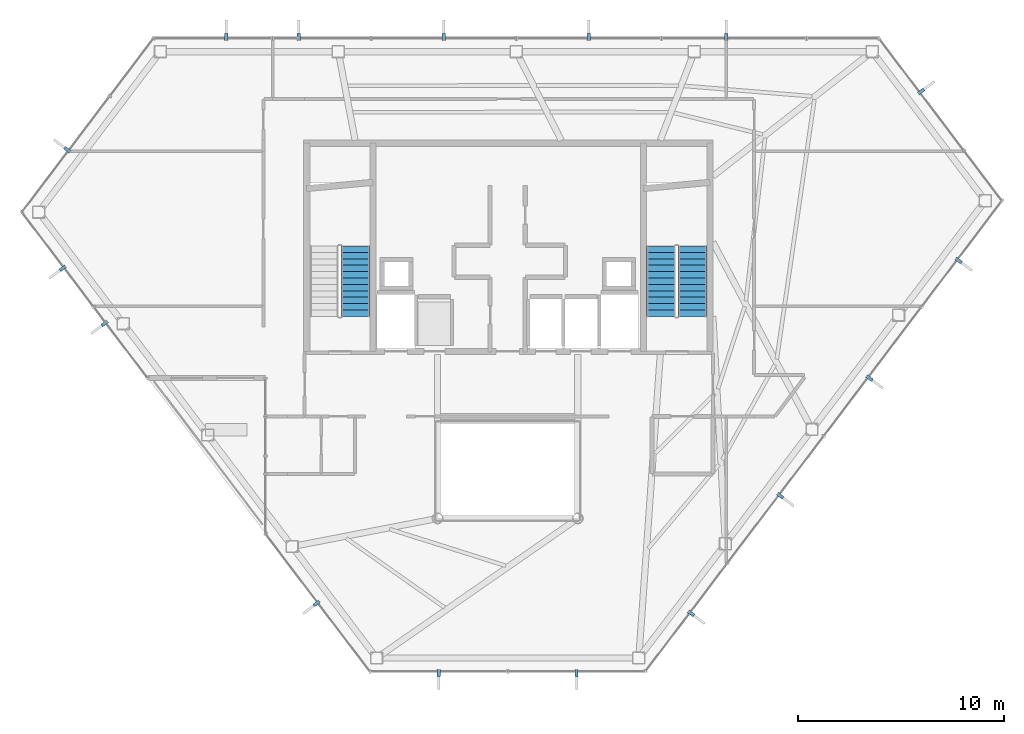
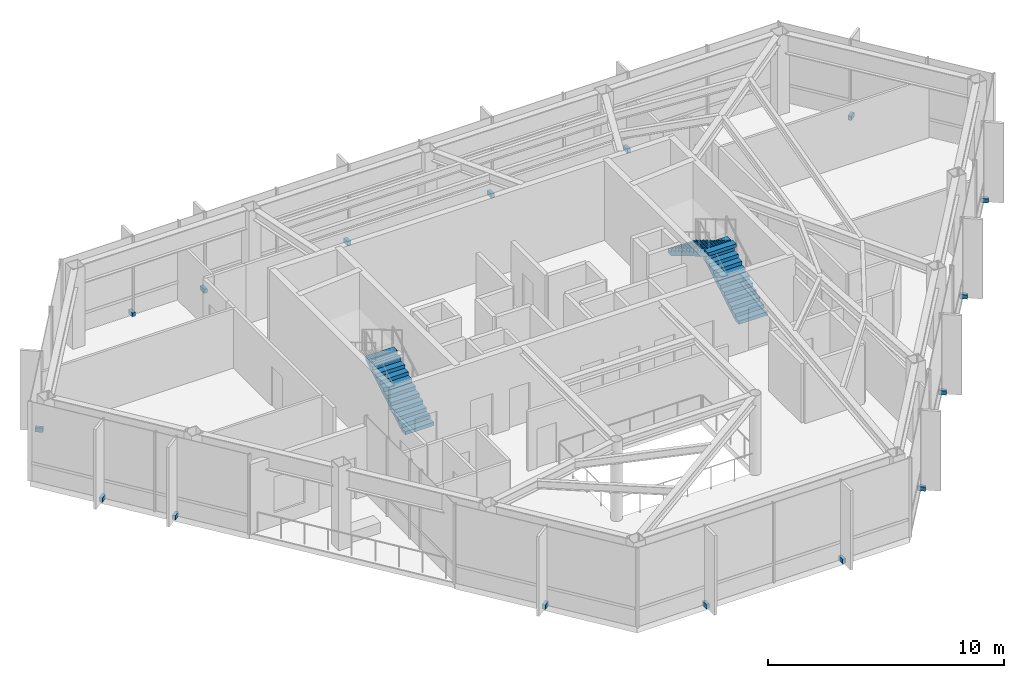
# One storey, part 21 of 23: 16 discrete accessories, 3 stair flights, 2 elements without a shape of their own.
"""IFC4 building model written with IfcOpenShell, lengths in metres."""

from ifc_helpers import new_model, si_unit, direction, frame, origin, origin_2d, place, context, subcontext, project, spatial, polyline, rectangle, outline, extrude, material, type_object, element, aggregate, save


model = new_model("IFC4")

# Units and contexts
model_context = context("Model", 3, precision=1e-05, world=origin(), true_north=direction((0.0, 1.0)))
body_context = subcontext(model_context, "Body", "Model", "MODEL_VIEW")
ifc_project = project(units=[si_unit("LENGTHUNIT", "METRE"), si_unit("AREAUNIT", "SQUARE_METRE"), si_unit("VOLUMEUNIT", "CUBIC_METRE"), si_unit("PLANEANGLEUNIT", "RADIAN"), si_unit("MASSUNIT", "GRAM", prefix="KILO")], contexts=[model_context])

# Site, building, storey
site_placement = place(None, origin())
site = spatial("IfcSite", under=ifc_project, at=site_placement, CompositionType="ELEMENT")
building_placement = place(site_placement, origin())
building = spatial("IfcBuilding", under=site, at=building_placement, Name="Zarrinselat Tower", CompositionType="ELEMENT")
storey_placement = place(building_placement, frame((0.0, 0.0, 199.919921875)))
storey = spatial("IfcBuildingStorey", under=building, at=storey_placement, Name="L49", CompositionType="ELEMENT", Elevation=199.919921875)

# Stair, stair flight
ifc_material_1 = material(Name="Concrete C40/50", Category="concrete")
stair_type = type_object("IfcStairType", Name="STR-CORE-155", PredefinedType="HALF_TURN_STAIR", material=ifc_material_1)
stair_1_placement = place(storey_placement, origin())
stair_1 = element("IfcStair", 1, at=stair_1_placement, inside=storey, type_object=stair_type, Name="L49 Core Exit Stair 1", PredefinedType="HALF_TURN_STAIR")
ifc_material_2 = material(Name="Concrete C40/50", Category="concrete")
stair_flight_type = type_object("IfcStairFlightType", Name="STR-FLT-155", PredefinedType="STRAIGHT", material=ifc_material_2)
stair_flight_1_placement = place(storey_placement, frame((31.02001953125, 35.0, 0.0), z_axis=(0.0, 0.0, 1.0), x_axis=(0.0, 1.0, 0.0)))
stair_flight_1 = element("IfcStairFlight", 2, at=stair_flight_1_placement, type_object=stair_flight_type, Name="ST-1 flight 1", NumberOfRisers=12, NumberOfTreads=11, PredefinedType="STRAIGHT", RiserHeight=0.184166667, TreadLength=0.31, context=body_context, shape_type="SweptSolid", body=[
    extrude(outline(polyline([(0.0, 0.0), (0.0, 0.18408203125), (0.31005859375, 0.18408203125), (0.31005859375, 0.368408203125), (0.6201171875, 0.368408203125), (0.6201171875, 0.552490234375), (0.929931640625, 0.552490234375), (0.929931640625, 0.736572265625), (1.239990234375, 0.736572265625), (1.239990234375, 0.9208984375), (1.550048828125, 0.9208984375), (1.550048828125, 1.10498046875), (1.860107421875, 1.10498046875), (1.860107421875, 1.2890625), (2.169921875, 1.2890625), (2.169921875, 1.473388671875), (2.47998046875, 1.473388671875), (2.47998046875, 1.657470703125), (2.7900390625, 1.657470703125), (2.7900390625, 1.841552734375), (3.10009765625, 1.841552734375), (3.10009765625, 2.02587890625), (3.409912109375, 2.02587890625), (3.409912109375, 2.2099609375), (3.409912109375, 1.8515625), (0.29345703125, 0.0), (0.0, 0.0)])), frame((0.0, 0.699951171875, 0.0), z_axis=(0.0, -1.0, 0.0), x_axis=(1.0, 0.0, 0.0)), (0.0, 0.0, 1.0), 1.39990234375),
])
aggregate(stair_1, [stair_flight_1])

# Stair, stair flights
stair_2_placement = place(storey_placement, origin())
stair_2 = element("IfcStair", 3, at=stair_2_placement, inside=storey, type_object=stair_type, Name="L49 Core Exit Stair 2", PredefinedType="HALF_TURN_STAIR")
stair_flight_2_placement = place(storey_placement, frame((47.360107421875, 35.0, 0.0), z_axis=(0.0, 0.0, 1.0), x_axis=(0.0, 1.0, 0.0)))
stair_flight_2 = element("IfcStairFlight", 4, at=stair_flight_2_placement, type_object=stair_flight_type, Name="ST-2 flight 1", NumberOfRisers=12, NumberOfTreads=11, PredefinedType="STRAIGHT", RiserHeight=0.184166667, TreadLength=0.31, context=body_context, shape_type="SweptSolid", body=[
    extrude(outline(polyline([(0.0, 0.0), (0.0, 0.18408203125), (0.31005859375, 0.18408203125), (0.31005859375, 0.368408203125), (0.6201171875, 0.368408203125), (0.6201171875, 0.552490234375), (0.929931640625, 0.552490234375), (0.929931640625, 0.736572265625), (1.239990234375, 0.736572265625), (1.239990234375, 0.9208984375), (1.550048828125, 0.9208984375), (1.550048828125, 1.10498046875), (1.860107421875, 1.10498046875), (1.860107421875, 1.2890625), (2.169921875, 1.2890625), (2.169921875, 1.473388671875), (2.47998046875, 1.473388671875), (2.47998046875, 1.657470703125), (2.7900390625, 1.657470703125), (2.7900390625, 1.841552734375), (3.10009765625, 1.841552734375), (3.10009765625, 2.02587890625), (3.409912109375, 2.02587890625), (3.409912109375, 2.2099609375), (3.409912109375, 1.8515625), (0.29345703125, 0.0), (0.0, 0.0)])), frame((0.0, 0.699951171875, 0.0), z_axis=(0.0, -1.0, 0.0), x_axis=(1.0, 0.0, 0.0)), (0.0, 0.0, 1.0), 1.39990234375),
])
stair_flight_3_placement = place(storey_placement, frame((45.840087890625, 38.409912109375, 2.2099609375), z_axis=(0.0, 0.0, 1.0), x_axis=(0.0, -1.0, 0.0)))
stair_flight_3 = element("IfcStairFlight", 5, at=stair_flight_3_placement, type_object=stair_flight_type, Name="ST-2 flight 2", NumberOfRisers=12, NumberOfTreads=11, PredefinedType="STRAIGHT", RiserHeight=0.184166667, TreadLength=0.31, context=body_context, shape_type="SweptSolid", body=[
    extrude(outline(polyline([(0.0, 0.0), (0.0, 0.18408203125), (0.31005859375, 0.18408203125), (0.31005859375, 0.368408203125), (0.6201171875, 0.368408203125), (0.6201171875, 0.552490234375), (0.929931640625, 0.552490234375), (0.929931640625, 0.736572265625), (1.239990234375, 0.736572265625), (1.239990234375, 0.9208984375), (1.550048828125, 0.9208984375), (1.550048828125, 1.10498046875), (1.860107421875, 1.10498046875), (1.860107421875, 1.2890625), (2.169921875, 1.2890625), (2.169921875, 1.473388671875), (2.47998046875, 1.473388671875), (2.47998046875, 1.657470703125), (2.7900390625, 1.657470703125), (2.7900390625, 1.841552734375), (3.10009765625, 1.841552734375), (3.10009765625, 2.02587890625), (3.409912109375, 2.02587890625), (3.409912109375, 2.2099609375), (3.409912109375, 1.8515625), (0.29345703125, 0.0), (0.0, 0.0)])), frame((0.0, 0.699951171875, 0.0), z_axis=(0.0, -1.0, 0.0), x_axis=(1.0, 0.0, 0.0)), (0.0, 0.0, 1.0), 1.39990234375),
])
aggregate(stair_2, [stair_flight_2, stair_flight_3])

# Discrete accessories
ifc_material_3 = material(Name="Steel S355J2", Category="steel")
discrete_accessory_type = type_object("IfcDiscreteAccessoryType", Name="ACC-FIN-BRACKET", PredefinedType="BRACKET", material=ifc_material_3)
for number, where, z_axis, x_axis, name in (
    (6, (17.043212890625, 43.07861328125, -0.0498046875), (0.0, 0.0, 1.0), (-0.797092010258, 0.603857870018, 0.0), "L49 Fin Fixing Bracket CW-L49-E01-01"),
    (7, (24.747314453125, 48.55908203125, -0.0498046875), (0.0, 0.0, 1.0), (0.0, 1.0, 0.0), "L49 Fin Fixing Bracket CW-L49-E02-01"),
    (8, (28.264404296875, 48.55908203125, -0.0498046875), (0.0, 0.0, 1.0), (0.0, 1.0, 0.0), "L49 Fin Fixing Bracket CW-L49-E02-03"),
    (9, (35.299072265625, 48.55908203125, -0.0498046875), (0.0, 0.0, 1.0), (0.0, 1.0, 0.0), "L49 Fin Fixing Bracket CW-L49-E02-05"),
    (10, (42.33349609375, 48.55908203125, -0.0498046875), (0.0, 0.0, 1.0), (0.0, 1.0, 0.0), "L49 Fin Fixing Bracket CW-L49-E02-07"),
    (11, (49.0, 48.55908203125, -0.0498046875), (0.0, 0.0, 1.0), (0.0, 1.0, 0.0), "L49 Fin Fixing Bracket CW-L49-E02-09"),
    (12, (58.44873046875, 45.904052734375, -0.0498046875), (0.0, 0.0, 1.0), (0.797096278405, 0.603852236026, 0.0), "L49 Fin Fixing Bracket CW-L49-E03-01"),
    (13, (60.267578125, 37.711669921875, -0.0498046875), (0.0, 0.0, 1.0), (0.79709179163, -0.603858158606, 0.0), "L49 Fin Fixing Bracket CW-L49-E04-01"),
    (14, (55.944580078125, 32.0048828125, -0.0498046875), (0.0, 0.0, 1.0), (0.79709179163, -0.603858158606, 0.0), "L49 Fin Fixing Bracket CW-L49-E04-03"),
    (15, (51.62109375, 26.29833984375, -0.0498046875), (0.0, 0.0, 1.0), (0.79709179163, -0.603858158606, 0.0), "L49 Fin Fixing Bracket CW-L49-E04-05"),
    (16, (47.298095703125, 20.591796875, -0.0498046875), (0.0, 0.0, 1.0), (0.79709179163, -0.603858158606, 0.0), "L49 Fin Fixing Bracket CW-L49-E04-07"),
    (17, (41.740234375, 17.710693359375, -0.0498046875), (0.0, 0.0, 1.0), (0.0, -1.0, 0.0), "L49 Fin Fixing Bracket CW-L49-E05-01"),
    (18, (35.059814453125, 17.710693359375, -0.0498046875), (0.0, 0.0, 1.0), (0.0, -1.0, 0.0), "L49 Fin Fixing Bracket CW-L49-E05-03"),
    (19, (29.1328125, 21.0791015625, -0.0498046875), (0.0, 0.0, 1.0), (-0.797091574078, -0.603858445775, 0.0), "L49 Fin Fixing Bracket CW-L49-E06-01"),
    (20, (18.84912109375, 34.65380859375, -0.0498046875), (0.0, 0.0, 1.0), (-0.797091574078, -0.603858445775, 0.0), "L49 Fin Fixing Bracket CW-L49-E25-01"),
    (21, (16.81787109375, 37.334716796875, -0.0498046875), (0.0, 0.0, 1.0), (-0.797091574078, -0.603858445775, 0.0), "L49 Fin Fixing Bracket CW-L49-E25-03"),
):
    element("IfcDiscreteAccessory", number, at=place(storey_placement, frame(where, z_axis=z_axis, x_axis=x_axis)), inside=storey, type_object=discrete_accessory_type, Name=name, PredefinedType="BRACKET", context=body_context, shape_type="SweptSolid", body=[
        extrude(rectangle(XDim=0.340087890625, YDim=0.159912109375, at=origin_2d()), origin(), (0.0, 0.0, 1.0), 0.219970703125),
    ])

save(model, "model.ifc")
